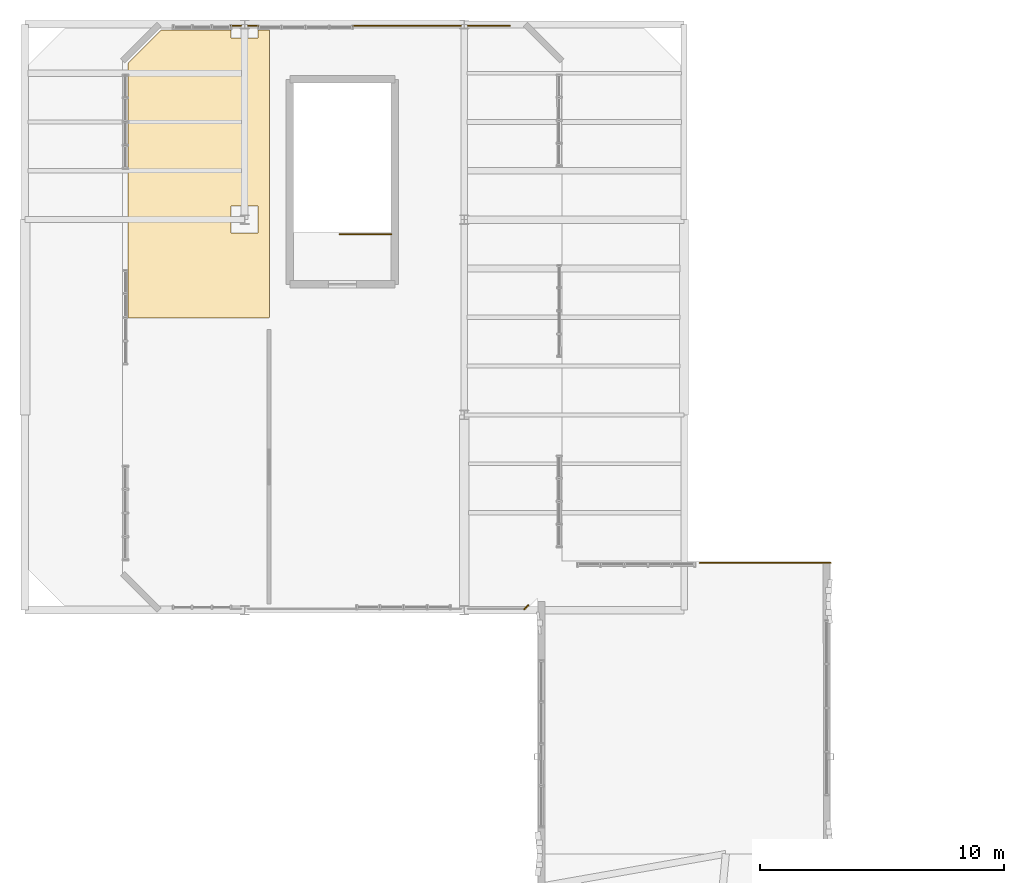
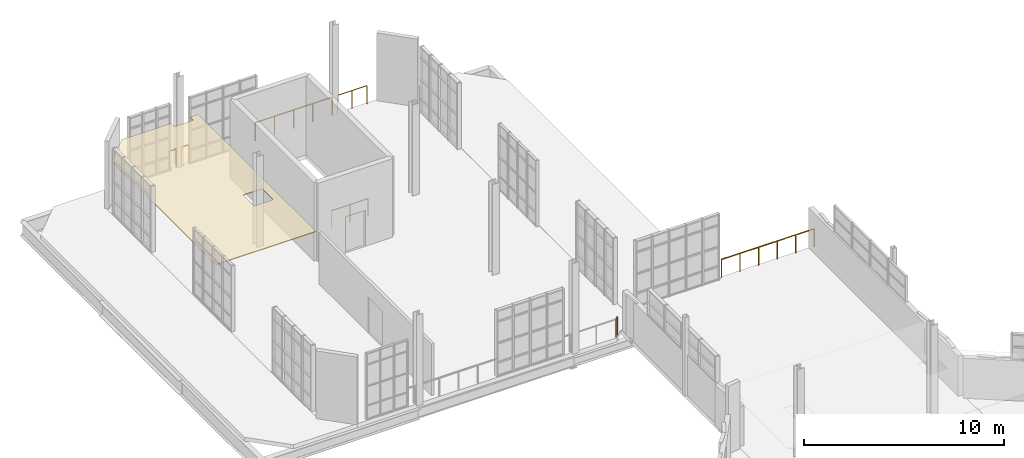
# One storey, part 36 of 36: 7 railings, 1 covering.
"""IFC4 building model written with IfcOpenShell, lengths in metres."""

from ifc_helpers import new_model, si_unit, direction, frame, origin, origin_2d, place, context, subcontext, project, spatial, polyline, circle, outline, extrude, material, layer, layer_set, type_object, element, save


model = new_model("IFC4")

# Units and contexts
model_context = context("Model", 3, precision=1e-05, world=origin(), true_north=direction((0.0, 1.0)))
body_context = subcontext(model_context, "Body", "Model", "MODEL_VIEW")
ifc_project = project(units=[si_unit("LENGTHUNIT", "METRE"), si_unit("AREAUNIT", "SQUARE_METRE"), si_unit("VOLUMEUNIT", "CUBIC_METRE"), si_unit("PLANEANGLEUNIT", "RADIAN"), si_unit("MASSUNIT", "GRAM", prefix="KILO"), si_unit("THERMODYNAMICTEMPERATUREUNIT", "KELVIN"), si_unit("POWERUNIT", "WATT")], contexts=[model_context])

# Site, building, storey
site_placement = place(None, origin())
site = spatial("IfcSite", under=ifc_project, at=site_placement, CompositionType="ELEMENT")
building_placement = place(site_placement, origin())
building = spatial("IfcBuilding", under=site, at=building_placement, Name="Zelmaris Science Centre", CompositionType="ELEMENT")
storey_placement = place(building_placement, frame((0.0, 0.0, 25.199951171875)))
storey = spatial("IfcBuildingStorey", under=building, at=storey_placement, Name="L05", CompositionType="ELEMENT", Elevation=25.199951171875)

# Covering
ifc_material_1 = material(Name="Perforated mineral-fibre acoustic ceiling tile")
ifc_layer = layer(ifc_material_1, 0.050048828125, Name="Perforated mineral-fibre acoustic ceiling tile")
ifc_layer_set = layer_set([ifc_layer], Name="Perforated mineral-fibre acoustic ceiling tile")
covering_type = type_object("IfcCoveringType", Name="Acoustic Ceiling CLG-02 50mm", PredefinedType="CEILING", material=ifc_layer_set)
covering_placement = place(storey_placement, frame((0.0, 0.0, 2.85009765625)))
element("IfcCovering", 1, at=covering_placement, inside=storey, type_object=covering_type, Name="L05 Solar Physics Seminar Room acoustic ceiling", PredefinedType="CEILING", context=body_context, shape_type="SweptSolid", body=[
    extrude(outline(polyline([(58.248046875, 75.97998046875), (58.24609375, 75.98046875), (58.244140625, 75.98095703125), (58.2421875, 75.9814453125), (58.240478515625, 75.982421875), (58.239013671875, 75.9833984375), (58.2373046875, 75.984619140625), (58.23583984375, 75.98583984375), (58.234619140625, 75.9873046875), (58.2333984375, 75.989013671875), (58.232421875, 75.990478515625), (58.2314453125, 75.9921875), (58.23095703125, 75.994140625), (58.23046875, 75.99609375), (58.22998046875, 75.998046875), (58.22998046875, 76.0), (58.22998046875, 86.396484375), (58.22998046875, 86.3984375), (58.23046875, 86.400390625), (58.23095703125, 86.402099609375), (58.2314453125, 86.404052734375), (58.232421875, 86.40576171875), (58.2333984375, 86.407470703125), (58.234619140625, 86.4091796875), (58.23583984375, 86.410400390625), (59.589599609375, 87.76416015625), (59.5908203125, 87.765380859375), (59.592529296875, 87.7666015625), (59.59423828125, 87.767578125), (59.595947265625, 87.7685546875), (59.597900390625, 87.76904296875), (59.599609375, 87.76953125), (59.6015625, 87.77001953125), (59.603515625, 87.77001953125), (62.449951171875, 87.77001953125), (62.449951171875, 87.449951171875), (63.550048828125, 87.449951171875), (63.550048828125, 87.77001953125), (63.9951171875, 87.77001953125), (63.9970703125, 87.77001953125), (63.998779296875, 87.76953125), (64.000732421875, 87.76904296875), (64.002685546875, 87.7685546875), (64.00439453125, 87.767578125), (64.006103515625, 87.7666015625), (64.0078125, 87.765380859375), (64.009033203125, 87.76416015625), (64.010498046875, 87.7626953125), (64.01171875, 87.760986328125), (64.0126953125, 87.759521484375), (64.013427734375, 87.7578125), (64.01416015625, 87.755859375), (64.0146484375, 87.75390625), (64.014892578125, 87.751953125), (64.014892578125, 87.75), (64.014892578125, 76.0), (64.014892578125, 75.998046875), (64.0146484375, 75.99609375), (64.01416015625, 75.994140625), (64.013427734375, 75.9921875), (64.0126953125, 75.990478515625), (64.01171875, 75.989013671875), (64.010498046875, 75.9873046875), (64.009033203125, 75.98583984375), (64.0078125, 75.984619140625), (64.006103515625, 75.9833984375), (64.00439453125, 75.982421875), (64.002685546875, 75.9814453125), (64.000732421875, 75.98095703125), (63.998779296875, 75.98046875), (63.9970703125, 75.97998046875), (63.9951171875, 75.97998046875), (58.25, 75.97998046875), (58.248046875, 75.97998046875)]), holes=[polyline([(62.449951171875, 80.550048828125), (62.449951171875, 79.449951171875), (63.550048828125, 79.449951171875), (63.550048828125, 80.550048828125), (62.449951171875, 80.550048828125)])]), origin(), (0.0, 0.0, 1.0), 0.050048828125),
])

# Railings
ifc_material_2 = material(Name="Architectural bronze alloy C28000")
railing_type = type_object("IfcRailingType", Name="Balustrade GD-01 H1120", PredefinedType="BALUSTRADE", material=ifc_material_2)
railing_1_placement = place(storey_placement, frame((74.617431640625, 64.202392578125, 0.0)))
element("IfcRailing", 2, at=railing_1_placement, inside=storey, type_object=railing_type, Name="L05 Perimeter safety balustrade 278", PredefinedType="BALUSTRADE", context=body_context, shape_type="SweptSolid", body=[
    extrude(circle(Radius=0.02392578125, at=origin_2d()), frame((0.0, 0.0, 1.09619140625), z_axis=(-0.709790269304, -0.704413070294, 0.0), x_axis=(0.704413070294, -0.709790269304, 0.0)), (0.0, 0.0, 1.0), 0.22705078125),
    extrude(circle(Radius=0.02099609375, at=origin_2d()), origin(), (0.0, 0.0, 1.0), 1.072021484375),
    extrude(circle(Radius=0.02099609375, at=origin_2d()), frame((-0.1611328125, -0.159912109375, 0.0)), (0.0, 0.0, 1.0), 1.072021484375),
])
for number, where, name in (
    (3, (62.429931640625, 87.93994140625, 0.0), "L05 Perimeter safety balustrade 283"),
    (4, (63.14794921875, 87.93994140625, 0.0), "L05 Perimeter safety balustrade 284"),
):
    element("IfcRailing", number, at=place(storey_placement, frame(where)), inside=storey, type_object=railing_type, Name=name, PredefinedType="BALUSTRADE", context=body_context, shape_type="SweptSolid", body=[
        extrude(circle(Radius=0.02392578125, at=origin_2d()), frame((0.0, 0.0, 1.09619140625), z_axis=(1.0, 0.0, 0.0), x_axis=(0.0, 1.0, 0.0)), (0.0, 0.0, 1.0), 0.422119140625),
        extrude(circle(Radius=0.02099609375, at=origin_2d()), origin(), (0.0, 0.0, 1.0), 1.072021484375),
        extrude(circle(Radius=0.02099609375, at=origin_2d()), frame((0.422119140625, 0.0, 0.0)), (0.0, 0.0, 1.0), 1.072021484375),
    ])
railing_2_placement = place(storey_placement, frame((67.409912109375, 87.93994140625, 0.0)))
element("IfcRailing", 5, at=railing_2_placement, inside=storey, type_object=railing_type, Name="L05 Perimeter safety balustrade 285", PredefinedType="BALUSTRADE", context=body_context, shape_type="SweptSolid", body=[
    extrude(circle(Radius=0.02392578125, at=origin_2d()), frame((0.0, 0.0, 1.09619140625), z_axis=(1.0, 0.0, 0.0), x_axis=(0.0, 1.0, 0.0)), (0.0, 0.0, 1.0), 4.442138671875),
    extrude(circle(Radius=0.02099609375, at=origin_2d()), origin(), (0.0, 0.0, 1.0), 1.072021484375),
    extrude(circle(Radius=0.02099609375, at=origin_2d()), frame((1.110595703125, 0.0, 0.0)), (0.0, 0.0, 1.0), 1.072021484375),
    extrude(circle(Radius=0.02099609375, at=origin_2d()), frame((2.22119140625, 0.0, 0.0)), (0.0, 0.0, 1.0), 1.072021484375),
    extrude(circle(Radius=0.02099609375, at=origin_2d()), frame((3.33154296875, 0.0, 0.0)), (0.0, 0.0, 1.0), 1.072021484375),
    extrude(circle(Radius=0.02099609375, at=origin_2d()), frame((4.442138671875, 0.0, 0.0)), (0.0, 0.0, 1.0), 1.072021484375),
])
railing_3_placement = place(storey_placement, frame((72.14794921875, 87.93994140625, 0.0)))
element("IfcRailing", 6, at=railing_3_placement, inside=storey, type_object=railing_type, Name="L05 Perimeter safety balustrade 286", PredefinedType="BALUSTRADE", context=body_context, shape_type="SweptSolid", body=[
    extrude(circle(Radius=0.02392578125, at=origin_2d()), frame((0.0, 0.0, 1.09619140625), z_axis=(1.0, 0.0, 0.0), x_axis=(0.0, 1.0, 0.0)), (0.0, 0.0, 1.0), 1.716064453125),
    extrude(circle(Radius=0.02099609375, at=origin_2d()), origin(), (0.0, 0.0, 1.0), 1.072021484375),
    extrude(circle(Radius=0.02099609375, at=origin_2d()), frame((0.85791015625, 0.0, 0.0)), (0.0, 0.0, 1.0), 1.072021484375),
    extrude(circle(Radius=0.02099609375, at=origin_2d()), frame((1.716064453125, 0.0, 0.0)), (0.0, 0.0, 1.0), 1.072021484375),
])
railing_4_placement = place(storey_placement, frame((81.6494140625, 65.93994140625, 0.0)))
element("IfcRailing", 7, at=railing_4_placement, inside=storey, type_object=railing_type, Name="L05 Perimeter safety balustrade 287", PredefinedType="BALUSTRADE", context=body_context, shape_type="SweptSolid", body=[
    extrude(circle(Radius=0.02392578125, at=origin_2d()), frame((0.0, 0.0, 1.09619140625), z_axis=(1.0, 0.0, 0.0), x_axis=(0.0, 1.0, 0.0)), (0.0, 0.0, 1.0), 5.3505859375),
    extrude(circle(Radius=0.02099609375, at=origin_2d()), origin(), (0.0, 0.0, 1.0), 1.072021484375),
    extrude(circle(Radius=0.02099609375, at=origin_2d()), frame((1.070068359375, 0.0, 0.0)), (0.0, 0.0, 1.0), 1.072021484375),
    extrude(circle(Radius=0.02099609375, at=origin_2d()), frame((2.14013671875, 0.0, 0.0)), (0.0, 0.0, 1.0), 1.072021484375),
    extrude(circle(Radius=0.02099609375, at=origin_2d()), frame((3.21044921875, 0.0, 0.0)), (0.0, 0.0, 1.0), 1.072021484375),
    extrude(circle(Radius=0.02099609375, at=origin_2d()), frame((4.280517578125, 0.0, 0.0)), (0.0, 0.0, 1.0), 1.072021484375),
    extrude(circle(Radius=0.02099609375, at=origin_2d()), frame((5.3505859375, 0.0, 0.0)), (0.0, 0.0, 1.0), 1.072021484375),
])
railing_5_placement = place(storey_placement, frame((69.0, 79.39990234375, 0.0)))
element("IfcRailing", 8, at=railing_5_placement, inside=storey, type_object=railing_type, Name="L05 ST-3 top well guard 1", PredefinedType="BALUSTRADE", context=body_context, shape_type="SweptSolid", body=[
    extrude(circle(Radius=0.02392578125, at=origin_2d()), frame((0.0, 0.0, 1.076171875), z_axis=(-1.0, 0.0, 0.0), x_axis=(0.0, -1.0, 0.0)), (0.0, 0.0, 1.0), 2.10009765625),
    extrude(circle(Radius=0.02099609375, at=origin_2d()), origin(), (0.0, 0.0, 1.0), 1.052001953125),
    extrude(circle(Radius=0.02099609375, at=origin_2d()), frame((-1.050048828125, 0.0, 0.0)), (0.0, 0.0, 1.0), 1.052001953125),
    extrude(circle(Radius=0.02099609375, at=origin_2d()), frame((-2.10009765625, 0.0, 0.0)), (0.0, 0.0, 1.0), 1.052001953125),
])

save(model, "model.ifc")
